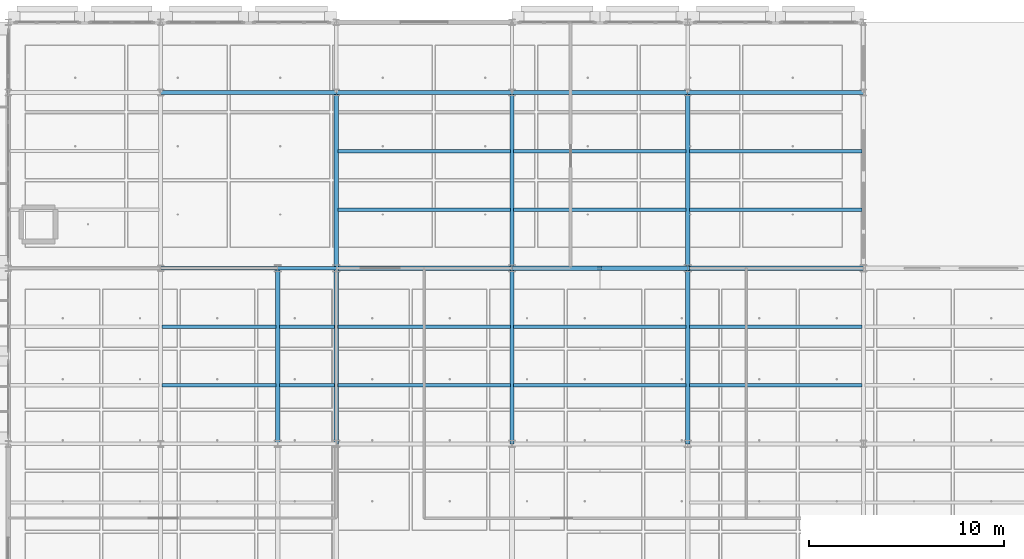
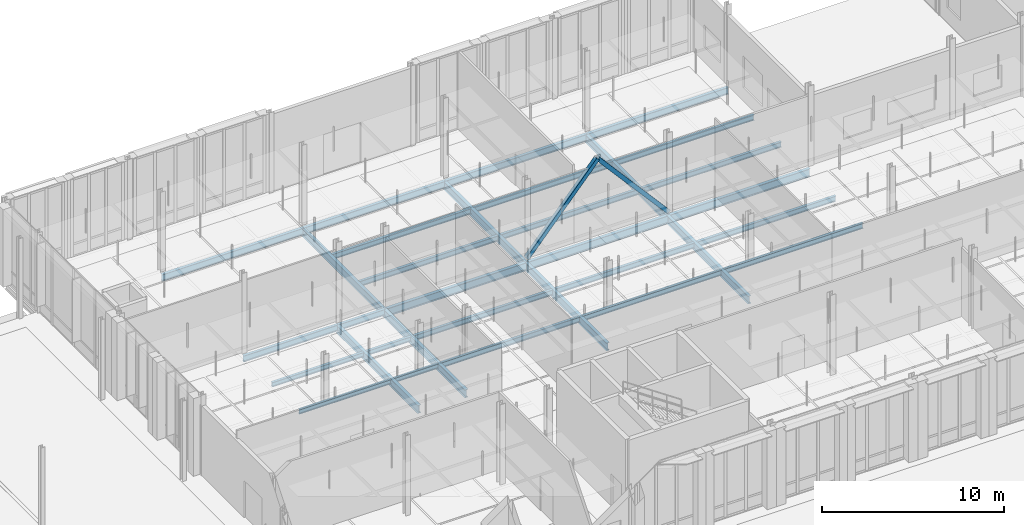
# One storey, part 59 of 180: 32 beams, 2 members.
"""IFC4 building model written with IfcOpenShell, lengths in metres."""

from ifc_helpers import new_model, si_unit, direction, frame, origin, origin_2d, place, context, subcontext, project, spatial, hollow_rectangle, i_section, extrude, material, material_profile, profile_set, type_object, element, save


model = new_model("IFC4")

# Units and contexts
model_context = context("Model", 3, precision=1e-05, world=origin(), true_north=direction((0.0, 1.0)))
body_context = subcontext(model_context, "Body", "Model", "MODEL_VIEW")
ifc_project = project(units=[si_unit("LENGTHUNIT", "METRE"), si_unit("AREAUNIT", "SQUARE_METRE"), si_unit("VOLUMEUNIT", "CUBIC_METRE"), si_unit("PLANEANGLEUNIT", "RADIAN"), si_unit("MASSUNIT", "GRAM", prefix="KILO"), si_unit("THERMODYNAMICTEMPERATUREUNIT", "KELVIN"), si_unit("POWERUNIT", "WATT")], contexts=[model_context])

# Site, building, storey
site_placement = place(None, origin())
site = spatial("IfcSite", under=ifc_project, at=site_placement, CompositionType="ELEMENT")
building_placement = place(site_placement, origin())
building = spatial("IfcBuilding", under=site, at=building_placement, Name="Tallowbark Science Centre", CompositionType="ELEMENT")
storey_placement = place(building_placement, origin())
storey = spatial("IfcBuildingStorey", under=building, at=storey_placement, Name="L00", CompositionType="ELEMENT", Elevation=0.0)

# Beams
ifc_material_1 = material(Name="Structural Steel Grade 300PLUS (300 MPa)", Category="steel")
ifc_material_profile_1 = material_profile(ifc_material_1, i_section(OverallWidth=0.177734375, OverallDepth=0.406494140625, WebThickness=0.0078125, FlangeThickness=0.0126953125, FilletRadius=0.011474609375, at=origin_2d()), Name="410UB59.7")
ifc_profile_set_1 = profile_set([ifc_material_profile_1], Name="Structural Steel Grade 300PLUS (300 MPa)")
beam_type_1 = type_object("IfcBeamType", Name="BM-UB410", PredefinedType="BEAM", material=ifc_profile_set_1)
beam_1_placement = place(storey_placement, frame((63.0, 99.0, -0.443115234375), z_axis=(1.0, 0.0, 0.0), x_axis=(0.0, 1.0, 0.0)))
element("IfcBeam", 1, at=beam_1_placement, inside=storey, type_object=beam_type_1, Name="Primary Girder GRDX-L00-630-690-990", PredefinedType="BEAM", context=body_context, shape_type="SweptSolid", body=[
    extrude(i_section(OverallWidth=0.177734375, OverallDepth=0.406494140625, WebThickness=0.0078125, FlangeThickness=0.0126953125, FilletRadius=0.011474609375, at=origin_2d()), origin(), (0.0, 0.0, 1.0), 6.0),
])
beam_2_placement = place(storey_placement, frame((69.0, 99.0, -0.443115234375), z_axis=(1.0, 0.0, 0.0), x_axis=(0.0, 1.0, 0.0)))
element("IfcBeam", 2, at=beam_2_placement, inside=storey, type_object=beam_type_1, Name="Primary Girder GRDX-L00-690-720-990", PredefinedType="BEAM", context=body_context, shape_type="SweptSolid", body=[
    extrude(i_section(OverallWidth=0.177734375, OverallDepth=0.406494140625, WebThickness=0.0078125, FlangeThickness=0.0126953125, FilletRadius=0.011474609375, at=origin_2d()), origin(), (0.0, 0.0, 1.0), 3.0),
])
ifc_material_profile_2 = material_profile(ifc_material_1, i_section(OverallWidth=0.208984375, OverallDepth=0.532958984375, WebThickness=0.01025390625, FlangeThickness=0.015625, FilletRadius=0.013916015625, at=origin_2d()), Name="530UB92.4")
ifc_profile_set_2 = profile_set([ifc_material_profile_2], Name="Structural Steel Grade 300PLUS (300 MPa)")
beam_type_2 = type_object("IfcBeamType", Name="BM-UB530A", PredefinedType="BEAM", material=ifc_profile_set_2)
for number, where, z_axis, x_axis, name in (
    (3, (72.0, 99.0, -0.506591796875), (1.0, 0.0, 0.0), (0.0, 1.0, 0.0), "Primary Girder GRDX-L00-720-810-990"),
    (4, (81.0, 99.0, -0.506591796875), (1.0, 0.0, 0.0), (0.0, 1.0, 0.0), "Primary Girder GRDX-L00-810-900-990"),
    (5, (90.0, 99.0, -0.506591796875), (1.0, 0.0, 0.0), (0.0, 1.0, 0.0), "Primary Girder GRDX-L00-900-990-990"),
):
    element("IfcBeam", number, at=place(storey_placement, frame(where, z_axis=z_axis, x_axis=x_axis)), inside=storey, type_object=beam_type_2, Name=name, PredefinedType="BEAM", context=body_context, shape_type="SweptSolid", body=[
        extrude(i_section(OverallWidth=0.208984375, OverallDepth=0.532958984375, WebThickness=0.01025390625, FlangeThickness=0.015625, FilletRadius=0.013916015625, at=origin_2d()), origin(), (0.0, 0.0, 1.0), 9.0),
    ])
ifc_material_profile_3 = material_profile(ifc_material_1, i_section(OverallWidth=0.208740234375, OverallDepth=0.5283203125, WebThickness=0.009521484375, FlangeThickness=0.01318359375, FilletRadius=0.013916015625, at=origin_2d()), Name="530UB82.0")
ifc_profile_set_3 = profile_set([ifc_material_profile_3], Name="Structural Steel Grade 300PLUS (300 MPa)")
beam_type_3 = type_object("IfcBeamType", Name="BM-UB530B", PredefinedType="BEAM", material=ifc_profile_set_3)
for number, where, z_axis, x_axis, name in (
    (6, (69.0, 90.0, -0.504150390625), (0.0, 1.0, 0.0), (-1.0, 0.0, 0.0), "Primary Girder GRDY-L00-690-900-990"),
    (7, (72.0, 90.0, -0.504150390625), (0.0, 1.0, 0.0), (-1.0, 0.0, 0.0), "Primary Girder GRDY-L00-720-900-990"),
    (8, (72.0, 99.0, -0.504150390625), (0.0, 1.0, 0.0), (-1.0, 0.0, 0.0), "Primary Girder GRDY-L00-720-990-1080"),
    (9, (81.0, 90.0, -0.504150390625), (0.0, 1.0, 0.0), (-1.0, 0.0, 0.0), "Primary Girder GRDY-L00-810-900-990"),
    (10, (81.0, 99.0, -0.504150390625), (0.0, 1.0, 0.0), (-1.0, 0.0, 0.0), "Primary Girder GRDY-L00-810-990-1080"),
    (11, (90.0, 90.0, -0.504150390625), (0.0, 1.0, 0.0), (-1.0, 0.0, 0.0), "Primary Girder GRDY-L00-900-900-990"),
    (12, (90.0, 99.0, -0.504150390625), (0.0, 1.0, 0.0), (-1.0, 0.0, 0.0), "Primary Girder GRDY-L00-900-990-1080"),
):
    element("IfcBeam", number, at=place(storey_placement, frame(where, z_axis=z_axis, x_axis=x_axis)), inside=storey, type_object=beam_type_3, Name=name, PredefinedType="BEAM", context=body_context, shape_type="SweptSolid", body=[
        extrude(i_section(OverallWidth=0.208740234375, OverallDepth=0.5283203125, WebThickness=0.009521484375, FlangeThickness=0.01318359375, FilletRadius=0.013916015625, at=origin_2d()), origin(), (0.0, 0.0, 1.0), 9.0),
    ])

# Members
ifc_material_2 = material(Name="Structural Steel Grade C350L0 (350 MPa)", Category="steel")
ifc_material_profile_4 = material_profile(ifc_material_2, hollow_rectangle(XDim=0.25, YDim=0.25, WallThickness=0.009033203125, at=origin_2d()), Name="250x250x9.0SHS")
ifc_profile_set_4 = profile_set([ifc_material_profile_4], Name="Structural Steel Grade C350L0 (350 MPa)")
member_type = type_object("IfcMemberType", Name="CBF-250SHS", PredefinedType="BRACE", material=ifc_profile_set_4)
for number, where, z_axis, x_axis, name in (
    (13, (81.0, 99.0, 0.0), (0.657993936846, 0.0, 0.753023226119), (0.0, 1.0, 0.0), "Concentric Chevron Brace CBF-LAB-N1 L00 Left"),
    (14, (90.0, 99.0, 0.0), (-0.657993936846, 0.0, 0.753023226119), (0.0, -1.0, 0.0), "Concentric Chevron Brace CBF-LAB-N1 L00 Right"),
):
    element("IfcMember", number, at=place(storey_placement, frame(where, z_axis=z_axis, x_axis=x_axis)), inside=storey, type_object=member_type, Name=name, PredefinedType="BRACE", context=body_context, shape_type="SweptSolid", body=[
        extrude(hollow_rectangle(XDim=0.25, YDim=0.25, WallThickness=0.009033203125, at=origin_2d()), origin(), (0.0, 0.0, 1.0), 6.8388671875),
    ])

# Beams
ifc_material_profile_5 = material_profile(ifc_material_1, i_section(OverallWidth=0.166015625, OverallDepth=0.30712890625, WebThickness=0.006591796875, FlangeThickness=0.01171875, FilletRadius=0.011474609375, at=origin_2d()), Name="310UB46.2")
ifc_profile_set_5 = profile_set([ifc_material_profile_5], Name="Structural Steel Grade 300PLUS (300 MPa)")
beam_type_4 = type_object("IfcBeamType", Name="JST-UB310", PredefinedType="JOIST", material=ifc_profile_set_5)
for number, where, z_axis, x_axis, name in (
    (15, (63.0849609375, 93.0, -0.3935546875), (1.0, 0.0, 0.0), (0.0, 1.0, 0.0), "Composite Floor Joist JSTX-L00-630-930"),
    (16, (63.0849609375, 96.0, -0.3935546875), (1.0, 0.0, 0.0), (0.0, 1.0, 0.0), "Composite Floor Joist JSTX-L00-630-960"),
):
    element("IfcBeam", number, at=place(storey_placement, frame(where, z_axis=z_axis, x_axis=x_axis)), inside=storey, type_object=beam_type_4, Name=name, PredefinedType="JOIST", context=body_context, shape_type="SweptSolid", body=[
        extrude(i_section(OverallWidth=0.166015625, OverallDepth=0.30712890625, WebThickness=0.006591796875, FlangeThickness=0.01171875, FilletRadius=0.011474609375, at=origin_2d()), origin(), (0.0, 0.0, 1.0), 5.830078125),
    ])
for number, where, z_axis, x_axis, name in (
    (17, (69.0849609375, 93.0, -0.3935546875), (1.0, 0.0, 0.0), (0.0, 1.0, 0.0), "Composite Floor Joist JSTX-L00-690-930"),
    (18, (69.0849609375, 96.0, -0.3935546875), (1.0, 0.0, 0.0), (0.0, 1.0, 0.0), "Composite Floor Joist JSTX-L00-690-960"),
):
    element("IfcBeam", number, at=place(storey_placement, frame(where, z_axis=z_axis, x_axis=x_axis)), inside=storey, type_object=beam_type_4, Name=name, PredefinedType="JOIST", context=body_context, shape_type="SweptSolid", body=[
        extrude(i_section(OverallWidth=0.166015625, OverallDepth=0.30712890625, WebThickness=0.006591796875, FlangeThickness=0.01171875, FilletRadius=0.011474609375, at=origin_2d()), origin(), (0.0, 0.0, 1.0), 2.830078125),
    ])
ifc_material_profile_6 = material_profile(ifc_material_1, i_section(OverallWidth=0.172119140625, OverallDepth=0.358642578125, WebThickness=0.008056640625, FlangeThickness=0.012939453125, FilletRadius=0.011474609375, at=origin_2d()), Name="360UB56.7")
ifc_profile_set_6 = profile_set([ifc_material_profile_6], Name="Structural Steel Grade 300PLUS (300 MPa)")
beam_type_5 = type_object("IfcBeamType", Name="JST-UB360", PredefinedType="JOIST", material=ifc_profile_set_6)
for number, where, z_axis, x_axis, name in (
    (19, (72.0849609375, 93.0, -0.419189453125), (1.0, 0.0, 0.0), (0.0, 1.0, 0.0), "Composite Floor Joist JSTX-L00-720-930"),
    (20, (72.0849609375, 96.0, -0.419189453125), (1.0, 0.0, 0.0), (0.0, 1.0, 0.0), "Composite Floor Joist JSTX-L00-720-960"),
    (21, (81.0849609375, 93.0, -0.419189453125), (1.0, 0.0, 0.0), (0.0, 1.0, 0.0), "Composite Floor Joist JSTX-L00-810-930"),
    (22, (81.0849609375, 96.0, -0.419189453125), (1.0, 0.0, 0.0), (0.0, 1.0, 0.0), "Composite Floor Joist JSTX-L00-810-960"),
    (23, (90.0849609375, 93.0, -0.419189453125), (1.0, 0.0, 0.0), (0.0, 1.0, 0.0), "Composite Floor Joist JSTX-L00-900-930"),
    (24, (90.0849609375, 96.0, -0.419189453125), (1.0, 0.0, 0.0), (0.0, 1.0, 0.0), "Composite Floor Joist JSTX-L00-900-960"),
    (25, (72.0849609375, 102.0, -0.419189453125), (1.0, 0.0, 0.0), (0.0, 1.0, 0.0), "Composite Floor Joist JSTX-L00-720-1020"),
    (26, (72.0849609375, 105.0, -0.419189453125), (1.0, 0.0, 0.0), (0.0, 1.0, 0.0), "Composite Floor Joist JSTX-L00-720-1050"),
    (27, (81.0849609375, 102.0, -0.419189453125), (1.0, 0.0, 0.0), (0.0, 1.0, 0.0), "Composite Floor Joist JSTX-L00-810-1020"),
    (28, (81.0849609375, 105.0, -0.419189453125), (1.0, 0.0, 0.0), (0.0, 1.0, 0.0), "Composite Floor Joist JSTX-L00-810-1050"),
    (29, (90.0849609375, 102.0, -0.419189453125), (1.0, 0.0, 0.0), (0.0, 1.0, 0.0), "Composite Floor Joist JSTX-L00-900-1020"),
    (30, (90.0849609375, 105.0, -0.419189453125), (1.0, 0.0, 0.0), (0.0, 1.0, 0.0), "Composite Floor Joist JSTX-L00-900-1050"),
):
    element("IfcBeam", number, at=place(storey_placement, frame(where, z_axis=z_axis, x_axis=x_axis)), inside=storey, type_object=beam_type_5, Name=name, PredefinedType="JOIST", context=body_context, shape_type="SweptSolid", body=[
        extrude(i_section(OverallWidth=0.172119140625, OverallDepth=0.358642578125, WebThickness=0.008056640625, FlangeThickness=0.012939453125, FilletRadius=0.011474609375, at=origin_2d()), origin(), (0.0, 0.0, 1.0), 8.830078125),
    ])
ifc_material_profile_7 = material_profile(ifc_material_1, i_section(OverallWidth=0.18994140625, OverallDepth=0.453857421875, WebThickness=0.008544921875, FlangeThickness=0.0126953125, FilletRadius=0.011474609375, at=origin_2d()), Name="460UB67.1")
ifc_profile_set_7 = profile_set([ifc_material_profile_7], Name="Structural Steel Grade 300PLUS (300 MPa)")
beam_type_6 = type_object("IfcBeamType", Name="SPN-UB460", PredefinedType="SPANDREL", material=ifc_profile_set_7)
for number, where, z_axis, x_axis, name in (
    (31, (63.0, 108.0, -0.466796875), (1.0, 0.0, 0.0), (0.0, 1.0, 0.0), "Primary Girder GRDX-L00-630-720-1080"),
    (32, (72.0, 108.0, -0.466796875), (1.0, 0.0, 0.0), (0.0, 1.0, 0.0), "Primary Girder GRDX-L00-720-810-1080"),
    (33, (81.0, 108.0, -0.466796875), (1.0, 0.0, 0.0), (0.0, 1.0, 0.0), "Primary Girder GRDX-L00-810-900-1080"),
    (34, (90.0, 108.0, -0.466796875), (1.0, 0.0, 0.0), (0.0, 1.0, 0.0), "Primary Girder GRDX-L00-900-990-1080"),
):
    element("IfcBeam", number, at=place(storey_placement, frame(where, z_axis=z_axis, x_axis=x_axis)), inside=storey, type_object=beam_type_6, Name=name, PredefinedType="SPANDREL", context=body_context, shape_type="SweptSolid", body=[
        extrude(i_section(OverallWidth=0.18994140625, OverallDepth=0.453857421875, WebThickness=0.008544921875, FlangeThickness=0.0126953125, FilletRadius=0.011474609375, at=origin_2d()), origin(), (0.0, 0.0, 1.0), 9.0),
    ])

save(model, "model.ifc")
